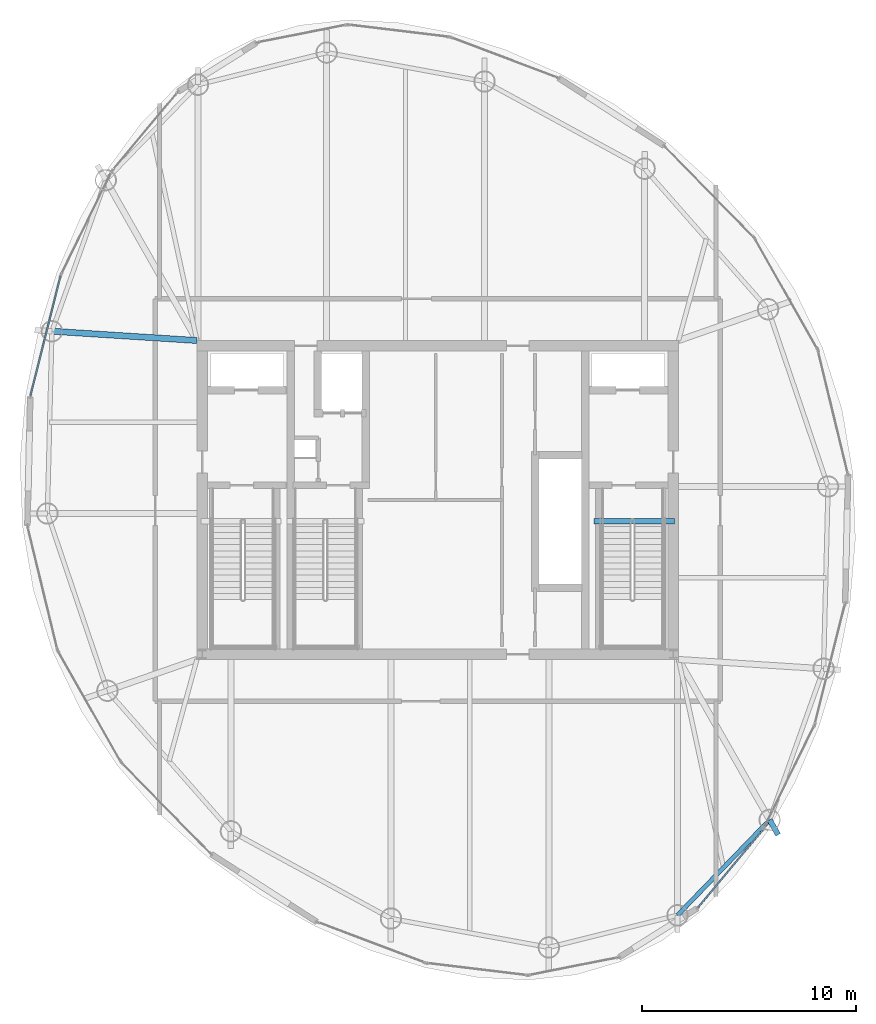
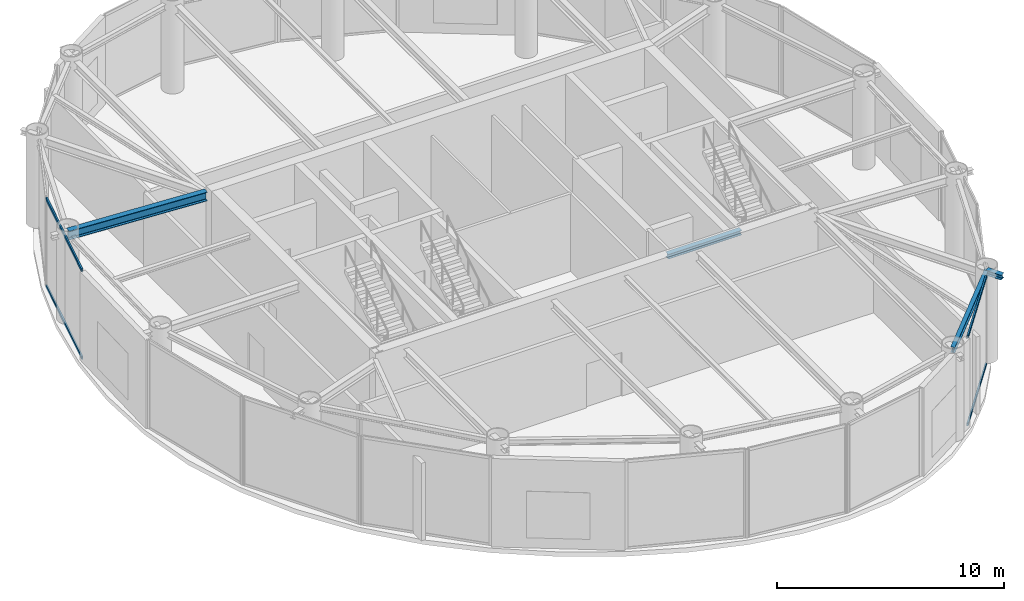
# One storey, part 9 of 23: 4 beams, 4 members, 2 elements without a shape of their own.
"""IFC4 building model written with IfcOpenShell, lengths in metres."""

import ifcopenshell
import ifcopenshell.guid

model = None  # the IFC model being written
_history = None  # IfcOwnerHistory: only IFC2X3 demands one
_inside = {}  # id of a spatial element -> (the spatial element, [elements in it])
_under = {}  # id of a project, library or spatial element -> (it, [spatial elements below it])
_declared = {}  # id of a project -> (the project, [libraries it declares])
_typed = {}  # id of a type object -> (the type object, [elements of that type])
_made_of = {}  # id of a material, layer set ... -> (it, [elements and type objects made of it])


def new_model(schema):
    """Start an empty IFC model of exactly this schema.

    Asked for "IFC4X3", IfcOpenShell would pick the latest addendum, in which some entities
    have other attributes; the version numbers below select the first issue.
    IFC2X3 requires an IfcOwnerHistory on every rooted entity: one is made here for all.
    """
    global model, _history
    if schema == "IFC4X3":
        model = ifcopenshell.file(schema_version=(4, 3, 0, 0))
    else:
        model = ifcopenshell.file(schema=schema)
    _inside.clear()
    _under.clear()
    _declared.clear()
    _typed.clear()
    _made_of.clear()
    _history = None
    if model.schema == "IFC2X3":
        org = make("IfcOrganization", Name="unknown")
        user = make(
            "IfcPersonAndOrganization",
            ThePerson=make("IfcPerson", FamilyName="unknown"),
            TheOrganization=org,
        )
        app = make(
            "IfcApplication",
            ApplicationDeveloper=org,
            Version="unknown",
            ApplicationFullName="unknown",
            ApplicationIdentifier="unknown",
        )
        _history = make(
            "IfcOwnerHistory",
            OwningUser=user,
            OwningApplication=app,
            ChangeAction="ADDED",
            CreationDate=0,
        )
    return model


def make(cls, **values):
    """One entity of the class cls with the attributes given. An attribute that is None is left unset."""
    return model.create_entity(
        cls, **{name: value for name, value in values.items() if value is not None}
    )


def rooted(cls, **values):
    """An entity with a GlobalId (a new one), such as an element, a storey or a relation."""
    return make(cls, GlobalId=ifcopenshell.guid.new(), OwnerHistory=_history, **values)


def si_unit(unit_type, name, prefix=None):
    """IfcSIUnit, for example si_unit("LENGTHUNIT", "METRE", prefix="MILLI")."""
    return make("IfcSIUnit", UnitType=unit_type, Prefix=prefix, Name=name)


def assignment(units):
    """IfcUnitAssignment: the units of a project."""
    return None if units is None else make("IfcUnitAssignment", Units=units)


def point(xyz):
    """IfcCartesianPoint."""
    return None if xyz is None else make("IfcCartesianPoint", Coordinates=xyz)


def direction(xyz):
    """IfcDirection."""
    return None if xyz is None else make("IfcDirection", DirectionRatios=xyz)


def frame(location, z_axis=None, x_axis=None):
    """IfcAxis2Placement3D, a coordinate frame: its origin and axes. An axis left out is left unset."""
    return make(
        "IfcAxis2Placement3D",
        Location=point(location),
        Axis=direction(z_axis),
        RefDirection=direction(x_axis),
    )


def frame_2d(location, x_axis=None):
    """IfcAxis2Placement2D, a coordinate frame in the plane: its origin and x axis."""
    return make(
        "IfcAxis2Placement2D", Location=point(location), RefDirection=direction(x_axis)
    )


def origin():
    """The frame at (0, 0, 0) with its axes left unset."""
    return frame((0.0, 0.0, 0.0))


def origin_2d():
    """The frame at (0, 0) in the plane with its x axis left unset."""
    return frame_2d((0.0, 0.0))


def place(relative_to, where):
    """IfcLocalPlacement: puts the frame where relative to a parent placement (None: the world)."""
    return make(
        "IfcLocalPlacement", PlacementRelTo=relative_to, RelativePlacement=where
    )


def context(
    kind, dimensions, precision=None, world=None, true_north=None, identifier=None
):
    """IfcGeometricRepresentationContext, for example the 3D "Model" context."""
    return make(
        "IfcGeometricRepresentationContext",
        ContextIdentifier=identifier,
        ContextType=kind,
        CoordinateSpaceDimension=dimensions,
        Precision=precision,
        WorldCoordinateSystem=world,
        TrueNorth=true_north,
    )


def subcontext(parent, identifier, kind, view, scale=None):
    """IfcGeometricRepresentationSubContext, for example "Body" below "Model"."""
    return make(
        "IfcGeometricRepresentationSubContext",
        ContextIdentifier=identifier,
        ContextType=kind,
        ParentContext=parent,
        TargetScale=scale,
        TargetView=view,
    )


def project(units=None, contexts=None):
    """IfcProject with its units and contexts."""
    return rooted(
        "IfcProject",
        Name="project",
        RepresentationContexts=contexts,
        UnitsInContext=assignment(units),
    )


def spatial(cls, under=None, at=None, **own):
    """A site, building, storey or space (cls), placed at a placement, below another one or the project."""
    s = rooted(cls, ObjectPlacement=at, **own)
    if under is not None:
        _under.setdefault(under.id(), (under, []))[1].append(s)
    return s


def profile(cls, at=None, kind="AREA", **sizes):
    """A parametric profile (cls). Its sizes go by their IFC names, for example OverallWidth=200.0."""
    return make(cls, ProfileType=kind, Position=at, **sizes)


def hollow_rectangle(**sizes):
    """IfcRectangleHollowProfileDef."""
    return profile("IfcRectangleHollowProfileDef", **sizes)


def i_section(**sizes):
    """IfcIShapeProfileDef."""
    return profile("IfcIShapeProfileDef", **sizes)


def extrude(swept, where, along, depth):
    """IfcExtrudedAreaSolid: the profile swept, set in the frame where, extruded along a direction by depth."""
    return make(
        "IfcExtrudedAreaSolid",
        SweptArea=swept,
        Position=where,
        ExtrudedDirection=direction(along),
        Depth=depth,
    )


def shape(context_of_items, identifier, shape_type, items):
    """IfcShapeRepresentation: the items that make up one representation, for example the "Body"."""
    return make(
        "IfcShapeRepresentation",
        ContextOfItems=context_of_items,
        RepresentationIdentifier=identifier,
        RepresentationType=shape_type,
        Items=items,
    )


def material(Name=None, Category=None):
    """IfcMaterial."""
    return make("IfcMaterial", Name=Name, Category=Category)


def layer(
    of_material, thickness, ventilated=None, Name=None, Category=None, Priority=None
):
    """IfcMaterialLayer: one layer of a wall or slab, of a material (None: an air gap)."""
    return make(
        "IfcMaterialLayer",
        Material=of_material,
        LayerThickness=thickness,
        IsVentilated=ventilated,
        Name=Name,
        Category=Category,
        Priority=Priority,
    )


def layer_set(layers, Name=None):
    """IfcMaterialLayerSet."""
    return make("IfcMaterialLayerSet", MaterialLayers=layers, LayerSetName=Name)


def material_profile(
    of_material, cross_section, Name=None, Category=None, Priority=None
):
    """IfcMaterialProfile: a cross section and its material."""
    return make(
        "IfcMaterialProfile",
        Name=Name,
        Material=of_material,
        Profile=cross_section,
        Priority=Priority,
        Category=Category,
    )


def profile_set(profiles, Name=None, composite=None):
    """IfcMaterialProfileSet."""
    return make(
        "IfcMaterialProfileSet",
        Name=Name,
        MaterialProfiles=profiles,
        CompositeProfile=composite,
    )


def made_of(thing, what):
    """Note that an element or type object is made of a material, layer set ...; save() writes the relation."""
    if what is not None:
        _made_of.setdefault(what.id(), (what, []))[1].append(thing)
    return thing


def type_object(cls, material=None, **own):
    """A type object (cls), such as IfcWallType, which elements share."""
    return made_of(rooted(cls, **own), material)


def element(
    cls,
    number,
    at=None,
    inside=None,
    cuts=None,
    type_object=None,
    material=None,
    context=None,
    identifier="Body",
    shape_type=None,
    held_by="IfcProductDefinitionShape",
    body=None,
    shapes=None,
    **own,
):
    """One element of the class cls, such as IfcWall. Its Tag is "e" and its number.

    at: its placement. inside: the storey or other place that contains it. cuts: it is an
    opening in that element (IfcRelVoidsElement). A single representation is given by context,
    identifier, shape_type and body (its items); several are given by shapes. held_by: the class
    of the entity that holds the representations. save() writes the other relations.
    """
    e = rooted(cls, Tag="e%d" % number, ObjectPlacement=at, **own)
    if body is not None:
        shapes = [shape(context, identifier, shape_type, body)]
    if shapes is not None:
        e.Representation = make(held_by, Representations=shapes)
    if inside is not None:
        _inside.setdefault(inside.id(), (inside, []))[1].append(e)
    if cuts is not None:
        rooted(
            "IfcRelVoidsElement", RelatingBuildingElement=cuts, RelatedOpeningElement=e
        )
    if type_object is not None:
        _typed.setdefault(type_object.id(), (type_object, []))[1].append(e)
    return made_of(e, material)


def aggregate(whole, parts):
    """IfcRelAggregates: a whole, such as a stair, and the parts it consists of."""
    return rooted("IfcRelAggregates", RelatingObject=whole, RelatedObjects=parts)


def save(model, path):
    """Write the relations noted so far, then the file.

    IfcRelAggregates (storeys below a building ...), IfcRelContainedInSpatialStructure (elements
    in a storey), IfcRelDefinesByType, IfcRelAssociatesMaterial and IfcRelDeclares: one each for
    every whole, place, type object, material and project.
    """
    for whole, parts in _under.values():
        aggregate(whole, parts)
    for where, things in _inside.values():
        rooted(
            "IfcRelContainedInSpatialStructure",
            RelatedElements=things,
            RelatingStructure=where,
        )
    for kind, things in _typed.values():
        rooted("IfcRelDefinesByType", RelatedObjects=things, RelatingType=kind)
    for what, things in _made_of.values():
        rooted("IfcRelAssociatesMaterial", RelatedObjects=things, RelatingMaterial=what)
    for by, libraries in _declared.values():
        rooted("IfcRelDeclares", RelatingContext=by, RelatedDefinitions=libraries)
    model.write(path)


model = new_model("IFC4")

# Units and contexts
model_context = context("Model", 3, precision=1e-05, world=origin(), true_north=direction((0.0, 1.0)))
body_context = subcontext(model_context, "Body", "Model", "MODEL_VIEW")
ifc_project = project(units=[si_unit("LENGTHUNIT", "METRE"), si_unit("AREAUNIT", "SQUARE_METRE"), si_unit("VOLUMEUNIT", "CUBIC_METRE"), si_unit("PLANEANGLEUNIT", "RADIAN"), si_unit("MASSUNIT", "GRAM", prefix="KILO")], contexts=[model_context])

# Site, building, storey
site_placement = place(None, origin())
site = spatial("IfcSite", under=ifc_project, at=site_placement, CompositionType="ELEMENT")
building_placement = place(site_placement, origin())
building = spatial("IfcBuilding", under=site, at=building_placement, Name="Bramvorn Convention Spire", CompositionType="ELEMENT")
storey_placement = place(building_placement, frame((0.0, 0.0, 307.5)))
storey = spatial("IfcBuildingStorey", under=building, at=storey_placement, Name="L78", CompositionType="ELEMENT", Elevation=307.5)

# Beams
ifc_material_1 = material(Name="Steel CSA G40.21 Grade 350 (350W)", Category="steel")
ifc_material_profile_1 = material_profile(ifc_material_1, i_section(OverallWidth=0.25390625, OverallDepth=0.2529296875, WebThickness=0.008544921875, FlangeThickness=0.01416015625, FilletRadius=0.011962890625, at=origin_2d()))
ifc_profile_set_1 = profile_set([ifc_material_profile_1], Name="Steel CSA G40.21 Grade 350 (350W) - W250X73")
beam_type_1 = type_object("IfcBeamType", Name="BM-W250X73", PredefinedType="BEAM", material=ifc_profile_set_1)
beam_1_placement = place(storey_placement, frame((53.50634765625, 11.05615234375, 4.62353515625), z_axis=(0.494067079829, -0.869423786556, 0.0), x_axis=(0.869423786556, 0.494067079829, 0.0)))
element("IfcBeam", 1, at=beam_1_placement, inside=storey, type_object=beam_type_1, Name="L78 slab-edge cantilever tip beam MC02", PredefinedType="BEAM", context=body_context, shape_type="SweptSolid", body=[
    extrude(i_section(OverallWidth=0.25390625, OverallDepth=0.2529296875, WebThickness=0.008544921875, FlangeThickness=0.01416015625, FilletRadius=0.011962890625, at=origin_2d()), origin(), (0.0, 0.0, 1.0), 0.800048828125),
])
beam_2_placement = place(storey_placement, frame((45.31005859375, 25.010009765625, -0.12646484375), z_axis=(1.0, 0.0, 0.0), x_axis=(0.0, 1.0, 0.0)))
element("IfcBeam", 2, at=beam_2_placement, inside=storey, type_object=beam_type_1, Name="L78 ST2 stair arrival header beam", PredefinedType="BEAM", context=body_context, shape_type="SweptSolid", body=[
    extrude(i_section(OverallWidth=0.25390625, OverallDepth=0.2529296875, WebThickness=0.008544921875, FlangeThickness=0.01416015625, FilletRadius=0.011962890625, at=origin_2d()), origin(), (0.0, 0.0, 1.0), 3.739990234375),
])
ifc_material_profile_2 = material_profile(ifc_material_1, i_section(OverallWidth=0.202880859375, OverallDepth=0.302978515625, WebThickness=0.007568359375, FlangeThickness=0.01318359375, FilletRadius=0.013916015625, at=origin_2d()))
ifc_profile_set_2 = profile_set([ifc_material_profile_2], Name="Steel CSA G40.21 Grade 350 (350W) - W310X60")
beam_type_2 = type_object("IfcBeamType", Name="BM-W310X60", PredefinedType="JOIST", material=ifc_profile_set_2)
beam_3_placement = place(storey_placement, frame((49.199951171875, 6.60107421875, 4.598388671875), z_axis=(0.695007159797, 0.719002814898, 0.0), x_axis=(-0.719002814898, 0.695007159797, 0.0)))
element("IfcBeam", 3, at=beam_3_placement, inside=storey, type_object=beam_type_2, Name="L78 mega-column ring beam 01", PredefinedType="JOIST", context=body_context, shape_type="SweptSolid", body=[
    extrude(i_section(OverallWidth=0.202880859375, OverallDepth=0.302978515625, WebThickness=0.007568359375, FlangeThickness=0.01318359375, FilletRadius=0.013916015625, at=origin_2d()), origin(), (0.0, 0.0, 1.0), 6.1962890625),
])
ifc_material_profile_3 = material_profile(ifc_material_1, i_section(OverallWidth=0.283935546875, OverallDepth=0.47607421875, WebThickness=0.014892578125, FlangeThickness=0.02392578125, FilletRadius=0.01806640625, at=origin_2d()))
ifc_profile_set_3 = profile_set([ifc_material_profile_3], Name="Steel CSA G40.21 Grade 350 (350W) - W460X158")
beam_type_3 = type_object("IfcBeamType", Name="BM-W460X158", PredefinedType="SPANDREL", material=ifc_profile_set_3)
beam_4_placement = place(storey_placement, frame((26.75, 33.449951171875, 4.511962890625), z_axis=(-0.997957536354, 0.063880792379, 0.0), x_axis=(-0.063880792379, -0.997957536354, 0.0)))
element("IfcBeam", 4, at=beam_4_placement, inside=storey, type_object=beam_type_3, Name="L78 radial floor girder MC11", PredefinedType="SPANDREL", context=body_context, shape_type="SweptSolid", body=[
    extrude(i_section(OverallWidth=0.283935546875, OverallDepth=0.47607421875, WebThickness=0.014892578125, FlangeThickness=0.02392578125, FilletRadius=0.01806640625, at=origin_2d()), origin(), (0.0, 0.0, 1.0), 6.78759765625),
])

# Curtain wall, members
ifc_material_2 = material(Name="Anodised Bronze Unitised Curtain Wall", Category="aluminium")
ifc_layer = layer(ifc_material_2, 0.199951171875)
ifc_layer_set = layer_set([ifc_layer], Name="Anodised Bronze Unitised Curtain Wall - CW-PLANT-LOUVRE")
curtain_wall_type = type_object("IfcCurtainWallType", Name="CW-PLANT-LOUVRE", PredefinedType="USERDEFINED", material=ifc_layer_set)
curtain_wall_1_placement = place(storey_placement, origin())
curtain_wall_1 = element("IfcCurtainWall", 5, at=curtain_wall_1_placement, inside=storey, type_object=curtain_wall_type, Name="L78 fritted glass curtain wall 02", ObjectType="UNITISED CURTAIN WALL", PredefinedType="USERDEFINED")
ifc_material_3 = material(Name="Anodised Bronze Aluminium 6063-T6", Category="aluminium")
ifc_material_profile_4 = material_profile(ifc_material_3, hollow_rectangle(XDim=0.080078125, YDim=0.159912109375, WallThickness=0.00390625, InnerFilletRadius=0.0009765625, OuterFilletRadius=0.00390625, at=origin_2d()))
ifc_profile_set_4 = profile_set([ifc_material_profile_4], Name="Anodised Bronze Aluminium 6063-T6 - CWT80X160")
member_type = type_object("IfcMemberType", Name="CW-TRN-150", PredefinedType="USERDEFINED", material=ifc_profile_set_4)
member_1_placement = place(storey_placement, frame((53.17822265625, 10.57421875, 0.030029296875), z_axis=(-0.641402057215, -0.767204927643, 0.0), x_axis=(0.767204927643, -0.641402057215, 0.0)))
member_1 = element("IfcMember", 6, at=member_1_placement, type_object=member_type, Name="CW5 transom 1.1", ObjectType="TRANSOM", PredefinedType="USERDEFINED", context=body_context, shape_type="SweptSolid", body=[
    extrude(hollow_rectangle(XDim=0.080078125, YDim=0.159912109375, WallThickness=0.00390625, InnerFilletRadius=0.0009765625, OuterFilletRadius=0.00390625, at=origin_2d()), origin(), (0.0, 0.0, 1.0), 4.690673828125),
])
member_2_placement = place(storey_placement, frame((53.17822265625, 10.57421875, 4.719970703125), z_axis=(-0.641402057215, -0.767204927643, 0.0), x_axis=(0.767204927643, -0.641402057215, 0.0)))
member_2 = element("IfcMember", 7, at=member_2_placement, type_object=member_type, Name="CW5 transom 1.2", ObjectType="TRANSOM", PredefinedType="USERDEFINED", context=body_context, shape_type="SweptSolid", body=[
    extrude(hollow_rectangle(XDim=0.080078125, YDim=0.159912109375, WallThickness=0.00390625, InnerFilletRadius=0.0009765625, OuterFilletRadius=0.00390625, at=origin_2d()), origin(), (0.0, 0.0, 1.0), 4.690673828125),
])
aggregate(curtain_wall_1, [member_1, member_2])

curtain_wall_2_placement = place(storey_placement, origin())
curtain_wall_2 = element("IfcCurtainWall", 8, at=curtain_wall_2_placement, inside=storey, type_object=curtain_wall_type, Name="L78 fritted glass curtain wall 16", ObjectType="UNITISED CURTAIN WALL", PredefinedType="USERDEFINED")
member_3_placement = place(storey_placement, frame((18.979248046875, 30.87939453125, 0.030029296875), z_axis=(0.243925965724, 0.969793856057, 0.0), x_axis=(-0.969793856057, 0.243925965724, 0.0)))
member_3 = element("IfcMember", 9, at=member_3_placement, type_object=member_type, Name="CW5 transom 1.1", ObjectType="TRANSOM", PredefinedType="USERDEFINED", context=body_context, shape_type="SweptSolid", body=[
    extrude(hollow_rectangle(XDim=0.080078125, YDim=0.159912109375, WallThickness=0.00390625, InnerFilletRadius=0.0009765625, OuterFilletRadius=0.00390625, at=origin_2d()), origin(), (0.0, 0.0, 1.0), 5.741943359375),
])
member_4_placement = place(storey_placement, frame((18.979248046875, 30.87939453125, 4.719970703125), z_axis=(0.243925965724, 0.969793856057, 0.0), x_axis=(-0.969793856057, 0.243925965724, 0.0)))
member_4 = element("IfcMember", 10, at=member_4_placement, type_object=member_type, Name="CW5 transom 1.2", ObjectType="TRANSOM", PredefinedType="USERDEFINED", context=body_context, shape_type="SweptSolid", body=[
    extrude(hollow_rectangle(XDim=0.080078125, YDim=0.159912109375, WallThickness=0.00390625, InnerFilletRadius=0.0009765625, OuterFilletRadius=0.00390625, at=origin_2d()), origin(), (0.0, 0.0, 1.0), 5.741943359375),
])
aggregate(curtain_wall_2, [member_3, member_4])

save(model, "model.ifc")
